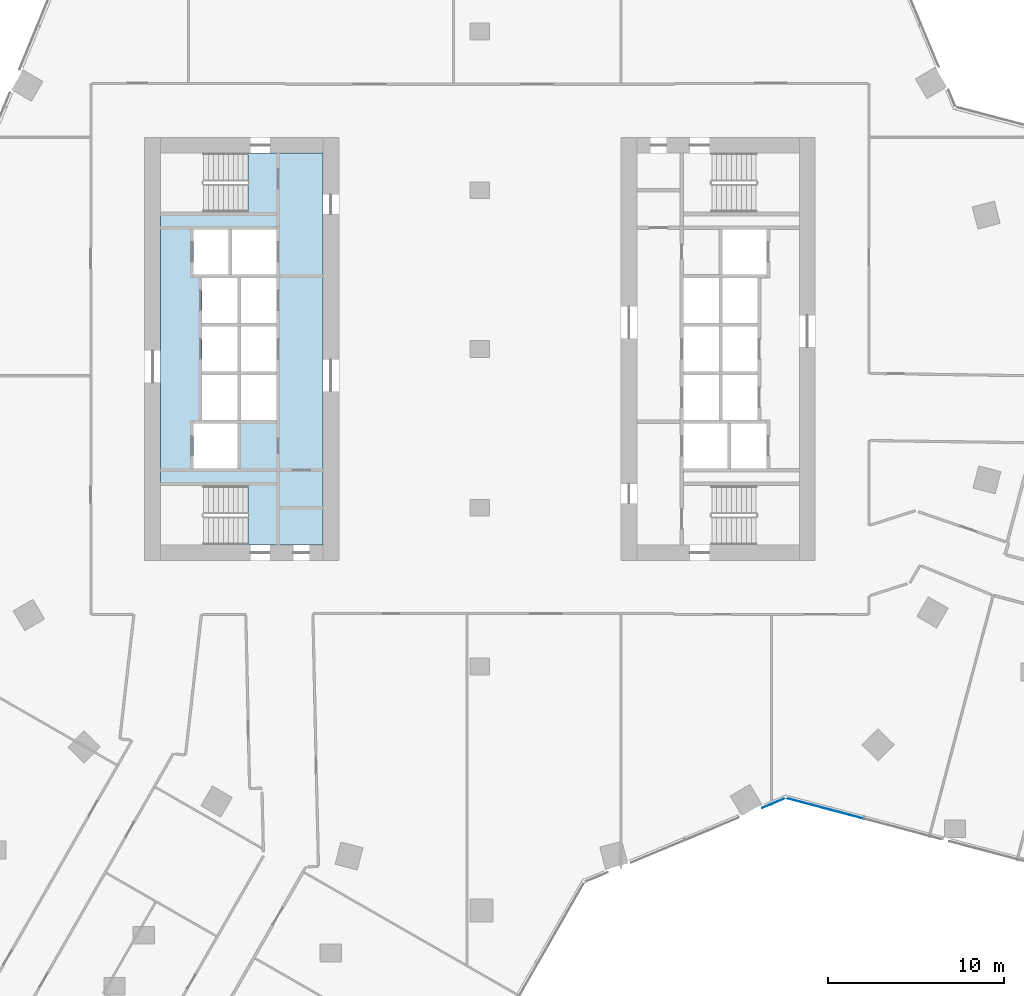
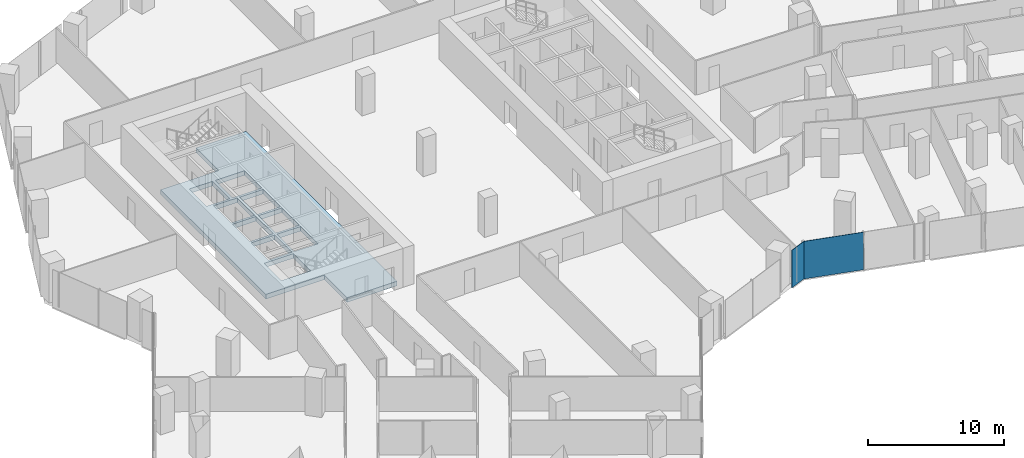
# One storey, part 21 of 34: 2 plates, 1 slab, 2 elements without a shape of their own.
"""IFC4 building model written with IfcOpenShell, lengths in metres."""

from ifc_helpers import new_model, si_unit, direction, frame, origin, origin_2d, place, context, subcontext, project, spatial, polyline, rectangle, outline, extrude, material, layer, layer_set, type_object, element, aggregate, save


model = new_model("IFC4")

# Units and contexts
model_context = context("Model", 3, precision=1e-05, world=origin(), true_north=direction((0.0, 1.0)))
body_context = subcontext(model_context, "Body", "Model", "MODEL_VIEW")
ifc_project = project(units=[si_unit("LENGTHUNIT", "METRE"), si_unit("AREAUNIT", "SQUARE_METRE"), si_unit("VOLUMEUNIT", "CUBIC_METRE"), si_unit("PLANEANGLEUNIT", "RADIAN"), si_unit("MASSUNIT", "GRAM", prefix="KILO")], contexts=[model_context])

# Site, building, storey
site_placement = place(None, origin())
site = spatial("IfcSite", under=ifc_project, at=site_placement, CompositionType="ELEMENT")
building_placement = place(site_placement, origin())
building = spatial("IfcBuilding", under=site, at=building_placement, Name="Orlundy Tower", CompositionType="ELEMENT")
storey_placement = place(building_placement, frame((0.0, 0.0, 109.199951171875)))
storey = spatial("IfcBuildingStorey", under=building, at=storey_placement, Name="L27", CompositionType="ELEMENT", Elevation=109.199951171875)

# Curtain wall, plate
ifc_material_1 = material(Name="Aluminium bronze anodised", Category="aluminium")
curtain_wall_type = type_object("IfcCurtainWallType", Name="CW1 wall", PredefinedType="NOTDEFINED", material=ifc_material_1)
curtain_wall_1_placement = place(storey_placement, origin())
curtain_wall_1 = element("IfcCurtainWall", 1, at=curtain_wall_1_placement, inside=storey, type_object=curtain_wall_type, Name="CW1 run 00", PredefinedType="NOTDEFINED")
ifc_material_2 = material(Name="Tinted glass", Category="glass")
ifc_layer_1 = layer(ifc_material_2, 0.031982421875)
ifc_layer_set_1 = layer_set([ifc_layer_1], Name="CW1 glass panel 32")
plate_type = type_object("IfcPlateType", Name="CW1 glass panel 32", PredefinedType="CURTAIN_PANEL", material=ifc_layer_set_1)
plate_1_placement = place(storey_placement, frame((19.532958984375, -26.0322265625, -0.27978515625), z_axis=(0.0, 0.0, 1.0), x_axis=(-0.966673796654, 0.256011270968, 0.0)))
plate_1 = element("IfcPlate", 2, at=plate_1_placement, type_object=plate_type, Name="CW1 panel", PredefinedType="CURTAIN_PANEL", context=body_context, shape_type="SweptSolid", body=[
    extrude(rectangle(XDim=4.550048828125, YDim=0.031982421875, at=origin_2d()), origin(), (0.0, 0.0, 1.0), 3.3798828125),
])
aggregate(curtain_wall_1, [plate_1])

curtain_wall_2_placement = place(storey_placement, origin())
curtain_wall_2 = element("IfcCurtainWall", 3, at=curtain_wall_2_placement, inside=storey, type_object=curtain_wall_type, Name="CW1 run 01", PredefinedType="NOTDEFINED")
plate_2_placement = place(storey_placement, frame((16.6669921875, -25.728271484375, -0.27978515625), z_axis=(0.0, 0.0, 1.0), x_axis=(-0.922759105019, -0.385377262048, 0.0)))
plate_2 = element("IfcPlate", 4, at=plate_2_placement, type_object=plate_type, Name="CW1 panel", PredefinedType="CURTAIN_PANEL", context=body_context, shape_type="SweptSolid", body=[
    extrude(rectangle(XDim=1.445068359375, YDim=0.031982421875, at=origin_2d()), origin(), (0.0, 0.0, 1.0), 3.3798828125),
])
aggregate(curtain_wall_2, [plate_2])

# Slab
ifc_material_3 = material(Name="Concrete C50/60", Category="concrete")
ifc_layer_2 = layer(ifc_material_3, 0.409912109375)
ifc_layer_set_2 = layer_set([ifc_layer_2], Name="Core Floor Slab 410")
slab_type = type_object("IfcSlabType", Name="Core Floor Slab 410", PredefinedType="FLOOR", material=ifc_layer_set_2)
slab_placement = place(storey_placement, frame((0.0, 0.0, -0.409912109375)))
element("IfcSlab", 5, at=slab_placement, inside=storey, type_object=slab_type, Name="Core floor W21", PredefinedType="FLOOR", context=body_context, shape_type="SweptSolid", body=[
    extrude(outline(polyline([(-13.14501953125, 7.75), (-13.14501953125, 11.10009765625), (-8.89990234375, 11.10009765625), (-8.89990234375, -11.10009765625), (-13.14501953125, -11.10009765625), (-13.14501953125, -7.75), (-18.10009765625, -7.75), (-18.10009765625, 7.75), (-13.14501953125, 7.75)]), holes=[polyline([(-16.239990234375, -6.77490234375), (-13.739990234375, -6.77490234375), (-13.739990234375, -4.22509765625), (-16.239990234375, -4.22509765625), (-16.239990234375, -6.77490234375)]), polyline([(-13.5400390625, -1.47509765625), (-13.5400390625, -4.02490234375), (-11.5400390625, -4.02490234375), (-11.5400390625, -1.47509765625), (-13.5400390625, -1.47509765625)]), polyline([(-13.739990234375, -1.47509765625), (-15.739990234375, -1.47509765625), (-15.739990234375, -4.02490234375), (-13.739990234375, -4.02490234375), (-13.739990234375, -1.47509765625)]), polyline([(-11.5400390625, -1.27490234375), (-11.5400390625, 1.27490234375), (-13.5400390625, 1.27490234375), (-13.5400390625, -1.27490234375), (-11.5400390625, -1.27490234375)]), polyline([(-15.739990234375, -1.27490234375), (-13.739990234375, -1.27490234375), (-13.739990234375, 1.27490234375), (-15.739990234375, 1.27490234375), (-15.739990234375, -1.27490234375)]), polyline([(-13.5400390625, 4.02490234375), (-13.5400390625, 1.47509765625), (-11.5400390625, 1.47509765625), (-11.5400390625, 4.02490234375), (-13.5400390625, 4.02490234375)]), polyline([(-13.739990234375, 4.02490234375), (-15.739990234375, 4.02490234375), (-15.739990234375, 1.47509765625), (-13.739990234375, 1.47509765625), (-13.739990234375, 4.02490234375)]), polyline([(-11.5400390625, 4.22509765625), (-11.5400390625, 6.77490234375), (-14.0400390625, 6.77490234375), (-14.0400390625, 4.22509765625), (-11.5400390625, 4.22509765625)]), polyline([(-16.239990234375, 4.22509765625), (-14.239990234375, 4.22509765625), (-14.239990234375, 6.77490234375), (-16.239990234375, 6.77490234375), (-16.239990234375, 4.22509765625)])]), origin(), (0.0, 0.0, 1.0), 0.409912109375),
])

save(model, "model.ifc")
